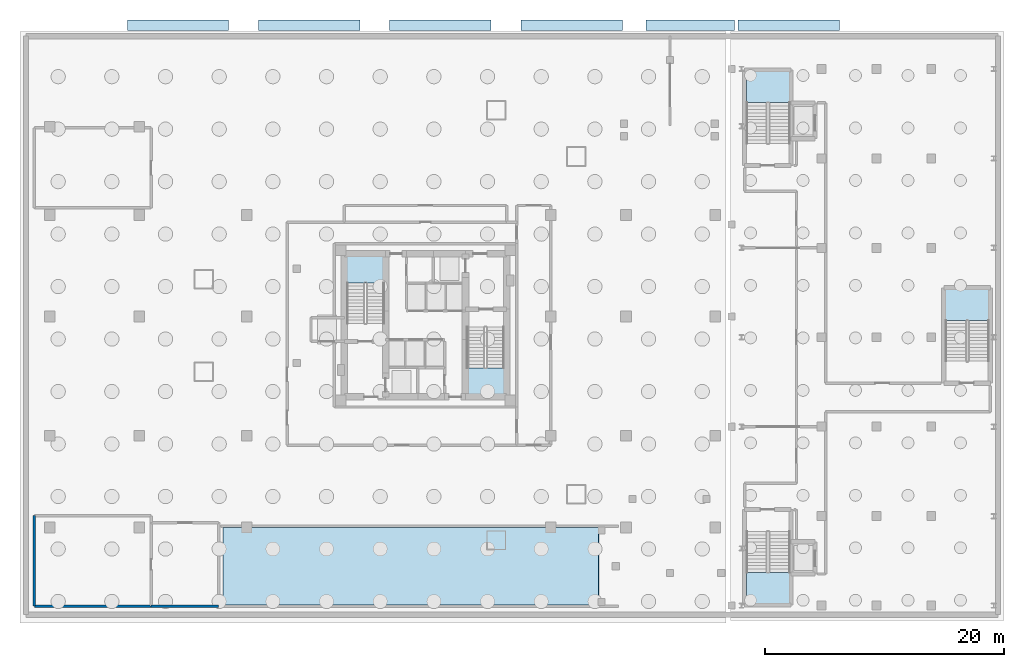
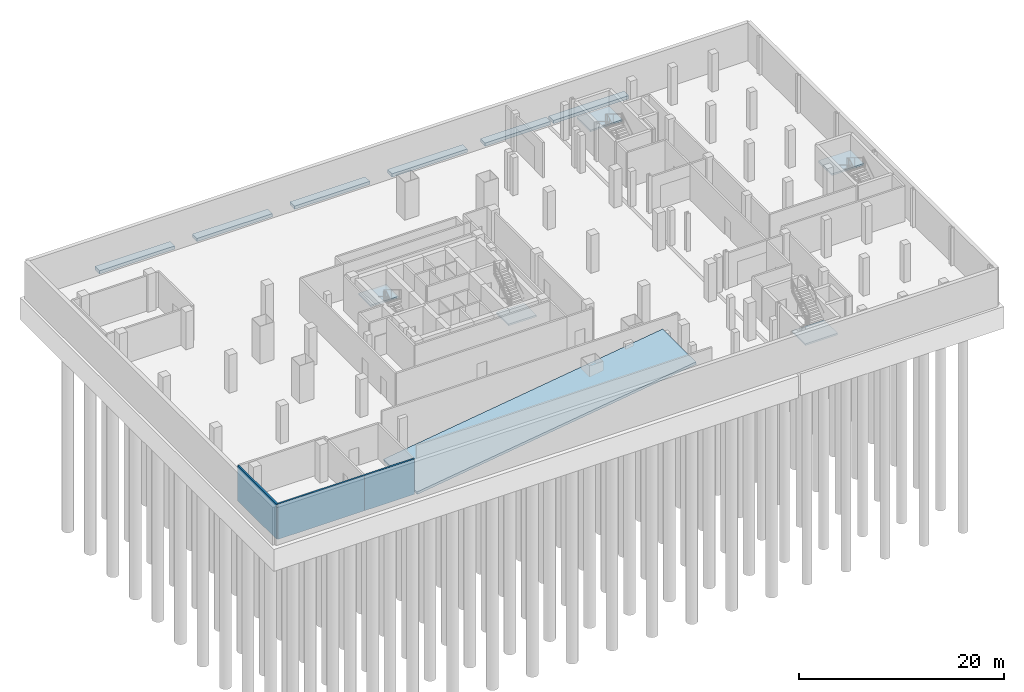
# One storey, part 5 of 15: 12 slabs, 3 walls, 5 elements without a shape of their own.
"""IFC4 building model written with IfcOpenShell, lengths in metres."""

from ifc_helpers import new_model, si_unit, direction, frame, frame_2d, origin, place, context, subcontext, project, spatial, polyline, rectangle, outline, extrude, material, layer, layer_set, type_object, element, aggregate, save


model = new_model("IFC4")

# Units and contexts
model_context = context("Model", 3, precision=1e-05, world=origin(), true_north=direction((0.0, 1.0)))
body_context = subcontext(model_context, "Body", "Model", "MODEL_VIEW")
ifc_project = project(units=[si_unit("LENGTHUNIT", "METRE"), si_unit("AREAUNIT", "SQUARE_METRE"), si_unit("VOLUMEUNIT", "CUBIC_METRE"), si_unit("PLANEANGLEUNIT", "RADIAN"), si_unit("MASSUNIT", "GRAM", prefix="KILO")], contexts=[model_context])

# Site, building, storey
site_placement = place(None, origin())
site = spatial("IfcSite", under=ifc_project, at=site_placement, CompositionType="ELEMENT")
building_placement = place(site_placement, origin())
building = spatial("IfcBuilding", under=site, at=building_placement, Name="Mersakhor Tower and Convention Hall", CompositionType="ELEMENT")
storey_placement = place(building_placement, frame((0.0, 0.0, -9.0)))
storey = spatial("IfcBuildingStorey", under=building, at=storey_placement, Name="B02", CompositionType="ELEMENT", Elevation=-9.0)

# Slabs
ifc_material_1 = material(Name="Concrete C45/55", Category="concrete")
ifc_layer_1 = layer(ifc_material_1, 0.3798828125)
ifc_layer_set_1 = layer_set([ifc_layer_1], Name="Concrete C45/55")
slab_type_1 = type_object("IfcSlabType", Name="SL-BASE-380", PredefinedType="BASESLAB", material=ifc_layer_set_1)
slab_1_placement = place(storey_placement, frame((0.0, 0.0, -0.3798828125)))
element("IfcSlab", 1, at=slab_1_placement, inside=storey, type_object=slab_type_1, Name="Basement Utility Chamber Base Slab BS-1", PredefinedType="BASESLAB", context=body_context, shape_type="SweptSolid", body=[
    extrude(outline(polyline([(4.0, 51.449951171875), (4.0, 52.35009765625), (12.5, 52.35009765625), (12.5, 51.449951171875), (4.0, 51.449951171875)])), origin(), (0.0, 0.0, 1.0), 0.3798828125),
])
slab_2_placement = place(storey_placement, frame((0.0, 0.0, -0.3798828125)))
element("IfcSlab", 2, at=slab_2_placement, inside=storey, type_object=slab_type_1, Name="Basement Utility Chamber Base Slab BS-2", PredefinedType="BASESLAB", context=body_context, shape_type="SweptSolid", body=[
    extrude(outline(polyline([(15.0, 51.449951171875), (15.0, 52.35009765625), (23.5, 52.35009765625), (23.5, 51.449951171875), (15.0, 51.449951171875)])), origin(), (0.0, 0.0, 1.0), 0.3798828125),
])
slab_3_placement = place(storey_placement, frame((0.0, 0.0, -0.3798828125)))
element("IfcSlab", 3, at=slab_3_placement, inside=storey, type_object=slab_type_1, Name="Basement Utility Chamber Base Slab BS-3", PredefinedType="BASESLAB", context=body_context, shape_type="SweptSolid", body=[
    extrude(outline(polyline([(26.0, 51.449951171875), (26.0, 52.35009765625), (34.5, 52.35009765625), (34.5, 51.449951171875), (26.0, 51.449951171875)])), origin(), (0.0, 0.0, 1.0), 0.3798828125),
])
slab_4_placement = place(storey_placement, frame((0.0, 0.0, -0.3798828125)))
element("IfcSlab", 4, at=slab_4_placement, inside=storey, type_object=slab_type_1, Name="Basement Utility Chamber Base Slab BS-4", PredefinedType="BASESLAB", context=body_context, shape_type="SweptSolid", body=[
    extrude(outline(polyline([(37.0, 51.449951171875), (37.0, 52.35009765625), (45.5, 52.35009765625), (45.5, 51.449951171875), (37.0, 51.449951171875)])), origin(), (0.0, 0.0, 1.0), 0.3798828125),
])
slab_5_placement = place(storey_placement, frame((0.0, 0.0, -0.3798828125)))
element("IfcSlab", 5, at=slab_5_placement, inside=storey, type_object=slab_type_1, Name="Basement Utility Chamber Base Slab BS-5", PredefinedType="BASESLAB", context=body_context, shape_type="SweptSolid", body=[
    extrude(outline(polyline([(47.5, 51.449951171875), (47.5, 52.35009765625), (54.89990234375, 52.35009765625), (54.89990234375, 51.449951171875), (47.5, 51.449951171875)])), origin(), (0.0, 0.0, 1.0), 0.3798828125),
])
slab_6_placement = place(storey_placement, frame((0.0, 0.0, -0.3798828125)))
element("IfcSlab", 6, at=slab_6_placement, inside=storey, type_object=slab_type_1, Name="Basement Utility Chamber Base Slab BS-6", PredefinedType="BASESLAB", context=body_context, shape_type="SweptSolid", body=[
    extrude(outline(polyline([(55.199951171875, 51.449951171875), (55.199951171875, 52.35009765625), (63.699951171875, 52.35009765625), (63.699951171875, 51.449951171875), (55.199951171875, 51.449951171875)])), origin(), (0.0, 0.0, 1.0), 0.3798828125),
])
ifc_material_2 = material(Name="Concrete C45/55", Category="concrete")
ifc_layer_2 = layer(ifc_material_2, 0.300048828125)
ifc_layer_set_2 = layer_set([ifc_layer_2], Name="Concrete C45/55")
slab_type_2 = type_object("IfcSlabType", Name="SL-FLR-300", PredefinedType="FLOOR", material=ifc_layer_set_2)
slab_7_placement = place(storey_placement, frame((12.0, 3.300048828125, 0.0), z_axis=(-0.141421356237, 0.0, 0.989949493661), x_axis=(0.989949493661, 0.0, 0.141421356237)))
element("IfcSlab", 7, at=slab_7_placement, inside=storey, type_object=slab_type_2, Name="Car Park Vehicle Ramp R1 Flight 1 Structural Slab", PredefinedType="FLOOR", context=body_context, shape_type="SweptSolid", body=[
    extrude(outline(polyline([(0.0, 0.0), (31.81980515339464, 0.0), (31.81980515339464, 6.5), (0.0, 6.5), (0.0, 0.0)])), origin(), (0.0, 0.0, -1.0), 0.300048828125),
])

# Stair, slab
ifc_material_3 = material(Name="Concrete C45/55", Category="concrete")
stair_type_1 = type_object("IfcStairType", Name="ST-TWR-26R", PredefinedType="HALF_TURN_STAIR", material=ifc_material_3)
stair_1_placement = place(storey_placement, origin())
stair_1 = element("IfcStair", 8, at=stair_1_placement, inside=storey, type_object=stair_type_1, Name="B02 Tower Protected Exit Stair ST-1", PredefinedType="HALF_TURN_STAIR")
ifc_material_4 = material(Name="Concrete C45/55", Category="concrete")
ifc_layer_3 = layer(ifc_material_4, 0.199951171875)
ifc_layer_set_3 = layer_set([ifc_layer_3], Name="Concrete C45/55")
slab_type_3 = type_object("IfcSlabType", Name="SL-LAND-200", PredefinedType="LANDING", material=ifc_layer_set_3)
slab_8_placement = place(storey_placement, frame((0.0, 0.0, 2.050048828125)))
slab_8 = element("IfcSlab", 9, at=slab_8_placement, type_object=slab_type_3, Name="ST-1 landing 1", PredefinedType="LANDING", context=body_context, shape_type="SweptSolid", body=[
    extrude(outline(polyline([(25.550048828125, 30.320068359375), (25.550048828125, 32.699951171875), (22.39990234375, 32.699951171875), (22.39990234375, 30.320068359375), (25.550048828125, 30.320068359375)])), origin(), (0.0, 0.0, 1.0), 0.199951171875),
])
aggregate(stair_1, [slab_8])

stair_2_placement = place(storey_placement, origin())
stair_2 = element("IfcStair", 10, at=stair_2_placement, inside=storey, type_object=stair_type_1, Name="B02 Tower Protected Exit Stair ST-2", PredefinedType="HALF_TURN_STAIR")
slab_9_placement = place(storey_placement, frame((0.0, 0.0, 2.050048828125)))
slab_9 = element("IfcSlab", 11, at=slab_9_placement, type_object=slab_type_3, Name="ST-2 landing 1", PredefinedType="LANDING", context=body_context, shape_type="SweptSolid", body=[
    extrude(outline(polyline([(32.449951171875, 23.179931640625), (32.449951171875, 20.800048828125), (35.60009765625, 20.800048828125), (35.60009765625, 23.179931640625), (32.449951171875, 23.179931640625)])), origin(), (0.0, 0.0, 1.0), 0.199951171875),
])
aggregate(stair_2, [slab_9])

ifc_material_5 = material(Name="Concrete C45/55", Category="concrete")
stair_type_2 = type_object("IfcStairType", Name="ST-CNV-26R", PredefinedType="HALF_TURN_STAIR", material=ifc_material_5)
stair_3_placement = place(storey_placement, origin())
stair_3 = element("IfcStair", 12, at=stair_3_placement, inside=storey, type_object=stair_type_2, Name="B02 Convention Hall Exit Stair CH-ST1", PredefinedType="HALF_TURN_STAIR")
slab_10_placement = place(storey_placement, frame((0.0, 0.0, 2.050048828125)))
slab_10 = element("IfcSlab", 13, at=slab_10_placement, type_object=slab_type_3, Name="CH-ST1 landing 1", PredefinedType="LANDING", context=body_context, shape_type="SweptSolid", body=[
    extrude(outline(polyline([(55.89990234375, 6.030029296875), (55.89990234375, 3.39990234375), (59.550048828125, 3.39990234375), (59.550048828125, 6.030029296875), (55.89990234375, 6.030029296875)])), origin(), (0.0, 0.0, 1.0), 0.199951171875),
])
aggregate(stair_3, [slab_10])

stair_4_placement = place(storey_placement, origin())
stair_4 = element("IfcStair", 14, at=stair_4_placement, inside=storey, type_object=stair_type_2, Name="B02 Convention Hall Exit Stair CH-ST2", PredefinedType="HALF_TURN_STAIR")
slab_11_placement = place(storey_placement, frame((0.0, 0.0, 2.050048828125)))
slab_11 = element("IfcSlab", 15, at=slab_11_placement, type_object=slab_type_3, Name="CH-ST2 landing 1", PredefinedType="LANDING", context=body_context, shape_type="SweptSolid", body=[
    extrude(outline(polyline([(59.550048828125, 45.419921875), (59.550048828125, 48.050048828125), (55.89990234375, 48.050048828125), (55.89990234375, 45.419921875), (59.550048828125, 45.419921875)])), origin(), (0.0, 0.0, 1.0), 0.199951171875),
])
aggregate(stair_4, [slab_11])

stair_5_placement = place(storey_placement, origin())
stair_5 = element("IfcStair", 16, at=stair_5_placement, inside=storey, type_object=stair_type_2, Name="B02 Convention Hall Exit Stair CH-ST3", PredefinedType="HALF_TURN_STAIR")
slab_12_placement = place(storey_placement, frame((0.0, 0.0, 2.050048828125)))
slab_12 = element("IfcSlab", 17, at=slab_12_placement, type_object=slab_type_3, Name="CH-ST3 landing 1", PredefinedType="LANDING", context=body_context, shape_type="SweptSolid", body=[
    extrude(outline(polyline([(76.25, 27.169921875), (76.25, 29.800048828125), (72.60009765625, 29.800048828125), (72.60009765625, 27.169921875), (76.25, 27.169921875)])), origin(), (0.0, 0.0, 1.0), 0.199951171875),
])
aggregate(stair_5, [slab_12])

# Walls
ifc_material_6 = material(Name="Acoustic concrete blockwork and gypsum board", Category="masonry")
ifc_layer_4 = layer(ifc_material_6, 0.199951171875)
ifc_layer_set_4 = layer_set([ifc_layer_4], Name="Acoustic concrete blockwork and gypsum board")
wall_type = type_object("IfcWallType", Name="WL-PRT-200", PredefinedType="PARTITIONING", material=ifc_layer_set_4)
wall_1_placement = place(storey_placement, frame((6.0, 3.199951171875, 0.0), z_axis=(0.0, 0.0, 1.0), x_axis=(-1.0, 0.0, 0.0)))
element("IfcWall", 18, at=wall_1_placement, inside=storey, type_object=wall_type, Name="B02 Interior Partition Wall P-056", PredefinedType="PARTITIONING", context=body_context, shape_type="SweptSolid", body=[
    extrude(rectangle(XDim=9.800048828125, YDim=0.199951171875, at=frame_2d((4.89990234375, 0.0))), origin(), (0.0, 0.0, 1.0), 4.199951171875),
])
wall_2_placement = place(storey_placement, frame((-3.800048828125, 3.199951171875, 0.0), z_axis=(0.0, 0.0, 1.0), x_axis=(0.0, 1.0, 0.0)))
element("IfcWall", 19, at=wall_2_placement, inside=storey, type_object=wall_type, Name="B02 Interior Partition Wall P-057", PredefinedType="PARTITIONING", context=body_context, shape_type="SweptSolid", body=[
    extrude(rectangle(XDim=7.60009765625, YDim=0.199951171875, at=frame_2d((3.800048828125, 0.0))), origin(), (0.0, 0.0, 1.0), 4.199951171875),
])
wall_3_placement = place(storey_placement, frame((11.64990234375, 3.199951171875, 0.0), z_axis=(0.0, 0.0, 1.0), x_axis=(-1.0, 0.0, 0.0)))
element("IfcWall", 20, at=wall_3_placement, inside=storey, type_object=wall_type, Name="B02 Interior Partition Wall P-060", PredefinedType="PARTITIONING", context=body_context, shape_type="SweptSolid", body=[
    extrude(rectangle(XDim=5.64990234375, YDim=0.199951171875, at=frame_2d((2.824951171875, 0.0))), origin(), (0.0, 0.0, 1.0), 4.199951171875),
])

save(model, "model.ifc")
